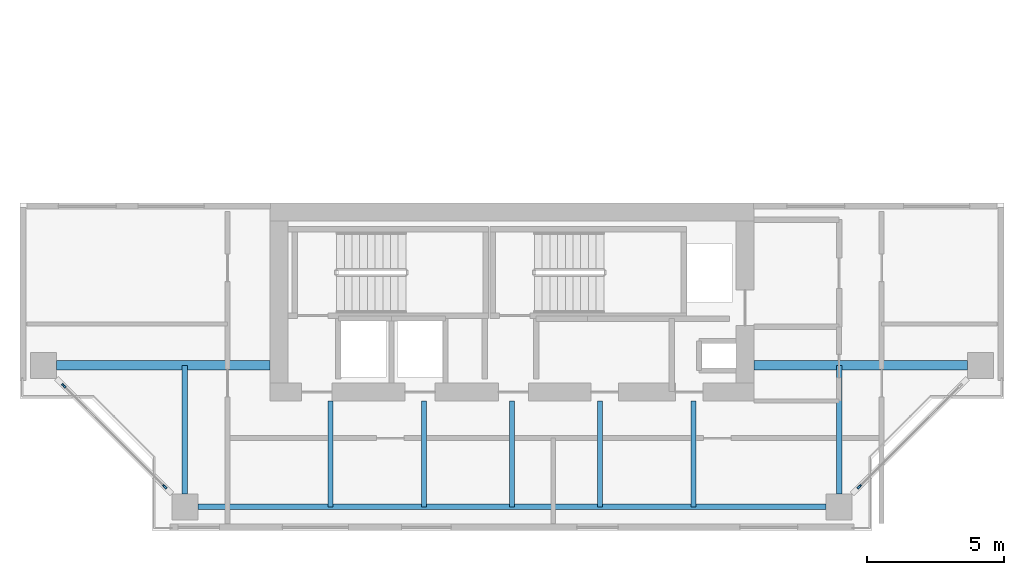
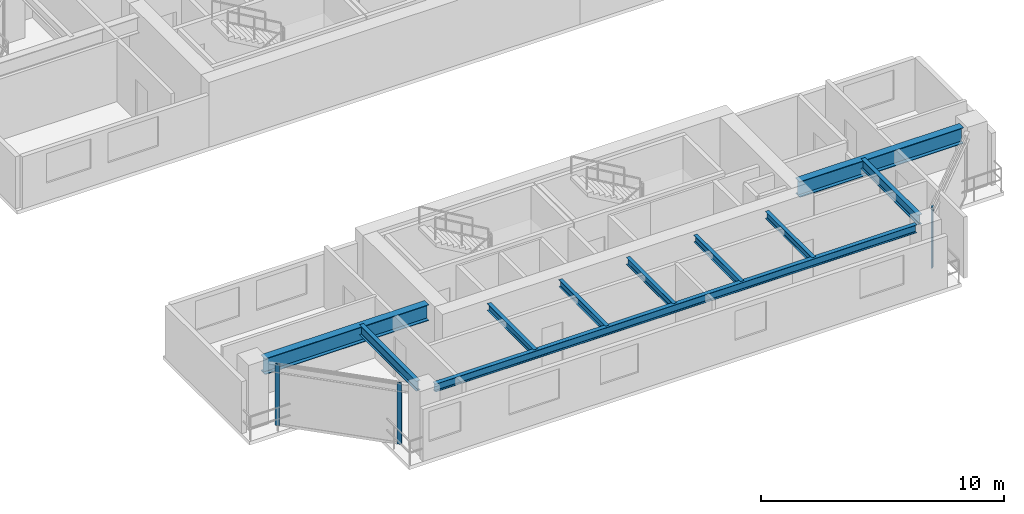
# One storey, part 2 of 12: 10 beams, 3 members, 2 elements without a shape of their own.
"""IFC4 building model written with IfcOpenShell, lengths in metres."""

from ifc_helpers import new_model, si_unit, direction, frame, origin, origin_2d, place, context, subcontext, project, spatial, rectangle, i_section, extrude, source, transform, mapped, material, layer, layer_set, material_profile, profile_set, type_object, element, aggregate, save


model = new_model("IFC4")

# Units and contexts
model_context = context("Model", 3, precision=1e-05, world=origin(), true_north=direction((0.0, 1.0)))
body_context = subcontext(model_context, "Body", "Model", "MODEL_VIEW")
ifc_project = project(units=[si_unit("LENGTHUNIT", "METRE"), si_unit("AREAUNIT", "SQUARE_METRE"), si_unit("VOLUMEUNIT", "CUBIC_METRE"), si_unit("PLANEANGLEUNIT", "RADIAN"), si_unit("MASSUNIT", "GRAM", prefix="KILO"), si_unit("THERMODYNAMICTEMPERATUREUNIT", "KELVIN"), si_unit("POWERUNIT", "WATT")], contexts=[model_context])

# Site, building, storey
site_placement = place(None, origin())
site = spatial("IfcSite", under=ifc_project, at=site_placement, CompositionType="ELEMENT")
building_placement = place(site_placement, origin())
building = spatial("IfcBuilding", under=site, at=building_placement, Name="Qiaomeng Ring Towers", CompositionType="ELEMENT")
storey_placement = place(building_placement, frame((0.0, 0.0, 166.5)))
storey = spatial("IfcBuildingStorey", under=building, at=storey_placement, Name="L48", CompositionType="ELEMENT", Elevation=166.5)

# Beams
ifc_material_1 = material(Name="Steel Q355B", Category="steel")
ifc_material_profile_1 = material_profile(ifc_material_1, i_section(OverallWidth=0.175048828125, OverallDepth=0.35009765625, WebThickness=0.007080078125, FlangeThickness=0.010986328125, FilletRadius=0.013916015625, at=origin_2d()), Name="HN 350x175x7x11")
ifc_profile_set_1 = profile_set([ifc_material_profile_1], Name="Steel Q355B")
beam_type_1 = type_object("IfcBeamType", Name="STR-BM-HN350", PredefinedType="JOIST", material=ifc_profile_set_1)
shared_shape_1 = source(origin(), body_context, "Body", "SweptSolid", [
    extrude(i_section(OverallWidth=0.175048828125, OverallDepth=0.35009765625, WebThickness=0.007080078125, FlangeThickness=0.010986328125, FilletRadius=0.013916015625, at=origin_2d()), origin(), (0.0, 0.0, 1.0), 3.85009765625),
])
for number, where, z_axis, x_axis, name in (
    (1, (12.39990234375, 5.949951171875, 2.89501953125), (0.0, 1.0, 0.0), (-1.0, 0.0, 0.0), "L48 beam STR-JST-L48-T1S-1"),
    (2, (15.800048828125, 5.949951171875, 2.89501953125), (0.0, 1.0, 0.0), (-1.0, 0.0, 0.0), "L48 beam STR-JST-L48-T1S-2"),
    (3, (19.0, 5.949951171875, 2.89501953125), (0.0, 1.0, 0.0), (-1.0, 0.0, 0.0), "L48 beam STR-JST-L48-T1S-3"),
    (4, (22.199951171875, 5.949951171875, 2.89501953125), (0.0, 1.0, 0.0), (-1.0, 0.0, 0.0), "L48 beam STR-JST-L48-T1S-4"),
    (5, (25.60009765625, 5.949951171875, 2.89501953125), (0.0, 1.0, 0.0), (-1.0, 0.0, 0.0), "L48 beam STR-JST-L48-T1S-5"),
):
    element("IfcBeam", number, at=place(storey_placement, frame(where, z_axis=z_axis, x_axis=x_axis)), inside=storey, type_object=beam_type_1, Name=name, PredefinedType="JOIST", context=body_context, shape_type="MappedRepresentation", body=[
        mapped(shared_shape_1, transform((0.0, 0.0, 0.0), x_axis=(1.0, 0.0, 0.0), y_axis=(0.0, 1.0, 0.0), z_axis=(0.0, 0.0, 1.0), scale=1.0)),
    ])
ifc_material_profile_2 = material_profile(ifc_material_1, i_section(OverallWidth=0.199951171875, OverallDepth=0.39990234375, WebThickness=0.008056640625, FlangeThickness=0.012939453125, FilletRadius=0.01611328125, at=origin_2d()), Name="HN 400x200x8x13")
ifc_profile_set_2 = profile_set([ifc_material_profile_2], Name="Steel Q355B")
beam_type_2 = type_object("IfcBeamType", Name="STR-BM-HN400", PredefinedType="SPANDREL", material=ifc_profile_set_2)
shared_shape_2 = source(origin(), body_context, "Body", "SweptSolid", [
    extrude(i_section(OverallWidth=0.199951171875, OverallDepth=0.39990234375, WebThickness=0.008056640625, FlangeThickness=0.012939453125, FilletRadius=0.01611328125, at=origin_2d()), origin(), (0.0, 0.0, 1.0), 22.85205078125),
])
beam_placement = place(storey_placement, frame((7.573974609375, 5.949951171875, 2.8701171875), z_axis=(1.0, 0.0, 0.0), x_axis=(0.0, 1.0, 0.0)))
element("IfcBeam", 6, at=beam_placement, inside=storey, type_object=beam_type_2, Name="L48 beam STR-SP-L48-T1-S1-S2", PredefinedType="SPANDREL", context=body_context, shape_type="MappedRepresentation", body=[
    mapped(shared_shape_2, transform((0.0, 0.0, 0.0), x_axis=(1.0, 0.0, 0.0), y_axis=(0.0, 1.0, 0.0), z_axis=(0.0, 0.0, 1.0), scale=1.0)),
])
ifc_material_2 = material(Name="Steel Q390GJC", Category="steel")
ifc_material_profile_3 = material_profile(ifc_material_2, i_section(OverallWidth=0.35009765625, OverallDepth=0.800048828125, WebThickness=0.01611328125, FlangeThickness=0.028076171875, at=origin_2d()), Name="WH 800x350x16x28")
ifc_profile_set_3 = profile_set([ifc_material_profile_3], Name="Steel Q390GJC")
beam_type_3 = type_object("IfcBeamType", Name="STR-BM-WH800", PredefinedType="BEAM", material=ifc_profile_set_3)
shared_shape_3 = source(origin(), body_context, "Body", "SweptSolid", [
    extrude(i_section(OverallWidth=0.35009765625, OverallDepth=0.800048828125, WebThickness=0.01611328125, FlangeThickness=0.028076171875, at=origin_2d()), origin(), (0.0, 0.0, 1.0), 7.77587890625),
])
for number, where, z_axis, x_axis, name in (
    (7, (2.424072265625, 11.10009765625, 2.669921875), (1.0, 0.0, 0.0), (0.0, 1.0, 0.0), "L48 beam STR-BM-L48-T1-RAD-W1"),
    (8, (27.800048828125, 11.10009765625, 2.669921875), (1.0, 0.0, 0.0), (0.0, 1.0, 0.0), "L48 beam STR-BM-L48-T1-RAD-E1"),
):
    element("IfcBeam", number, at=place(storey_placement, frame(where, z_axis=z_axis, x_axis=x_axis)), inside=storey, type_object=beam_type_3, Name=name, PredefinedType="BEAM", context=body_context, shape_type="MappedRepresentation", body=[
        mapped(shared_shape_3, transform((0.0, 0.0, 0.0), x_axis=(1.0, 0.0, 0.0), y_axis=(0.0, 1.0, 0.0), z_axis=(0.0, 0.0, 1.0), scale=1.0)),
    ])
ifc_material_profile_4 = material_profile(ifc_material_1, i_section(OverallWidth=0.199951171875, OverallDepth=0.5, WebThickness=0.010009765625, FlangeThickness=0.01611328125, FilletRadius=0.02001953125, at=origin_2d()), Name="HN 500x200x10x16")
ifc_profile_set_4 = profile_set([ifc_material_profile_4], Name="Steel Q355B")
beam_type_4 = type_object("IfcBeamType", Name="STR-BM-HN500", PredefinedType="BEAM", material=ifc_profile_set_4)
shared_shape_4 = source(origin(), body_context, "Body", "SweptSolid", [
    extrude(i_section(OverallWidth=0.199951171875, OverallDepth=0.5, WebThickness=0.010009765625, FlangeThickness=0.01611328125, FilletRadius=0.02001953125, at=origin_2d()), origin(), (0.0, 0.0, 1.0), 4.676025390625),
])
for number, where, z_axis, x_axis, name in (
    (9, (7.10009765625, 6.424072265625, 2.820068359375), (0.0, 1.0, 0.0), (-1.0, 0.0, 0.0), "L48 beam STR-BM-L48-T1-RAD-S1"),
    (10, (30.89990234375, 6.424072265625, 2.820068359375), (0.0, 1.0, 0.0), (-1.0, 0.0, 0.0), "L48 beam STR-BM-L48-T1-RAD-S2"),
):
    element("IfcBeam", number, at=place(storey_placement, frame(where, z_axis=z_axis, x_axis=x_axis)), inside=storey, type_object=beam_type_4, Name=name, PredefinedType="BEAM", context=body_context, shape_type="MappedRepresentation", body=[
        mapped(shared_shape_4, transform((0.0, 0.0, 0.0), x_axis=(1.0, 0.0, 0.0), y_axis=(0.0, 1.0, 0.0), z_axis=(0.0, 0.0, 1.0), scale=1.0)),
    ])

# Curtain wall, member
ifc_material_3 = material(Name="Fluorocarbon dark-grey aluminium", Category="aluminium")
ifc_layer = layer(ifc_material_3, 0.14990234375, Name="Fluorocarbon dark-grey aluminium")
ifc_layer_set = layer_set([ifc_layer], Name="Fluorocarbon dark-grey aluminium")
curtain_wall_type = type_object("IfcCurtainWallType", Name="ARC-CW-3", PredefinedType="NOTDEFINED", material=ifc_layer_set)
curtain_wall_1_placement = place(storey_placement, origin())
curtain_wall_1 = element("IfcCurtainWall", 11, at=curtain_wall_1_placement, inside=storey, type_object=curtain_wall_type, Name="L48 Curtain Wall CW3", PredefinedType="NOTDEFINED")
ifc_material_profile_5 = material_profile(ifc_material_3, rectangle(XDim=0.070068359375, YDim=0.179931640625, at=origin_2d()), Name="ALU MULL 70x180")
ifc_profile_set_5 = profile_set([ifc_material_profile_5], Name="Fluorocarbon dark-grey aluminium")
member_type = type_object("IfcMemberType", Name="ARC-CWM-160", PredefinedType="MULLION", material=ifc_profile_set_5)
shared_shape_5 = source(origin(), body_context, "Body", "SweptSolid", [
    extrude(rectangle(XDim=0.070068359375, YDim=0.179931640625, at=origin_2d()), origin(), (0.0, 0.0, 1.0), 3.070068359375),
])
member_1_placement = place(storey_placement, frame((31.6396484375, 6.689697265625, 0.0), z_axis=(0.0, 0.0, 1.0), x_axis=(-0.707106781187, 0.707106781187, 0.0)))
member_1 = element("IfcMember", 12, at=member_1_placement, type_object=member_type, Name="CW3 mullion 1", PredefinedType="MULLION", context=body_context, shape_type="MappedRepresentation", body=[
    mapped(shared_shape_5, transform((0.0, 0.0, 0.0), x_axis=(1.0, 0.0, 0.0), y_axis=(0.0, 1.0, 0.0), z_axis=(0.0, 0.0, 1.0), scale=1.0)),
])
aggregate(curtain_wall_1, [member_1])

# Curtain wall, members
curtain_wall_2_placement = place(storey_placement, origin())
curtain_wall_2 = element("IfcCurtainWall", 13, at=curtain_wall_2_placement, inside=storey, type_object=curtain_wall_type, Name="L48 Curtain Wall CW3", PredefinedType="NOTDEFINED")
member_2_placement = place(storey_placement, frame((2.689697265625, 10.3603515625, 0.0), z_axis=(0.0, 0.0, 1.0), x_axis=(0.707106781187, 0.707106781187, 0.0)))
member_2 = element("IfcMember", 14, at=member_2_placement, type_object=member_type, Name="CW3 mullion 1", PredefinedType="MULLION", context=body_context, shape_type="MappedRepresentation", body=[
    mapped(shared_shape_5, transform((0.0, 0.0, 0.0), x_axis=(1.0, 0.0, 0.0), y_axis=(0.0, 1.0, 0.0), z_axis=(0.0, 0.0, 1.0), scale=1.0)),
])
member_3_placement = place(storey_placement, frame((6.3603515625, 6.689697265625, 0.0), z_axis=(0.0, 0.0, 1.0), x_axis=(0.707106781187, 0.707106781187, 0.0)))
member_3 = element("IfcMember", 15, at=member_3_placement, type_object=member_type, Name="CW3 mullion 2", PredefinedType="MULLION", context=body_context, shape_type="MappedRepresentation", body=[
    mapped(shared_shape_5, transform((0.0, 0.0, 0.0), x_axis=(1.0, 0.0, 0.0), y_axis=(0.0, 1.0, 0.0), z_axis=(0.0, 0.0, 1.0), scale=1.0)),
])
aggregate(curtain_wall_2, [member_2, member_3])

save(model, "model.ifc")
